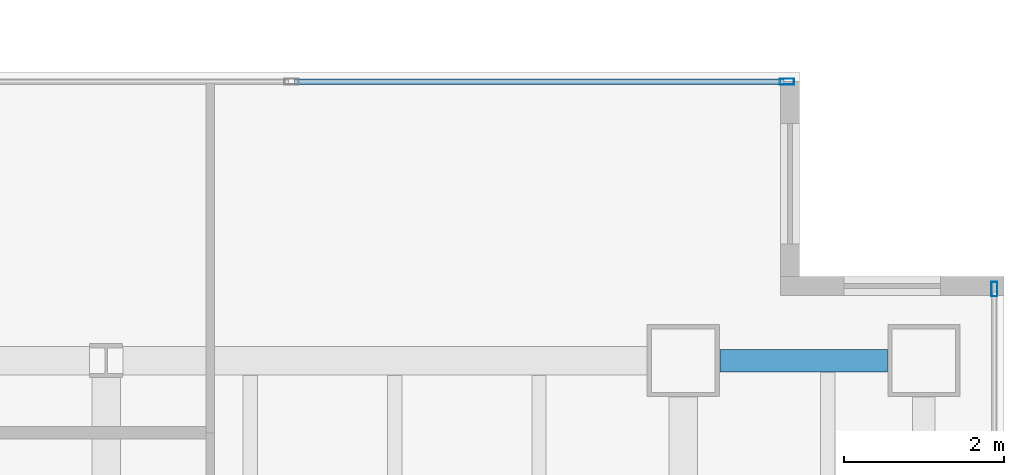
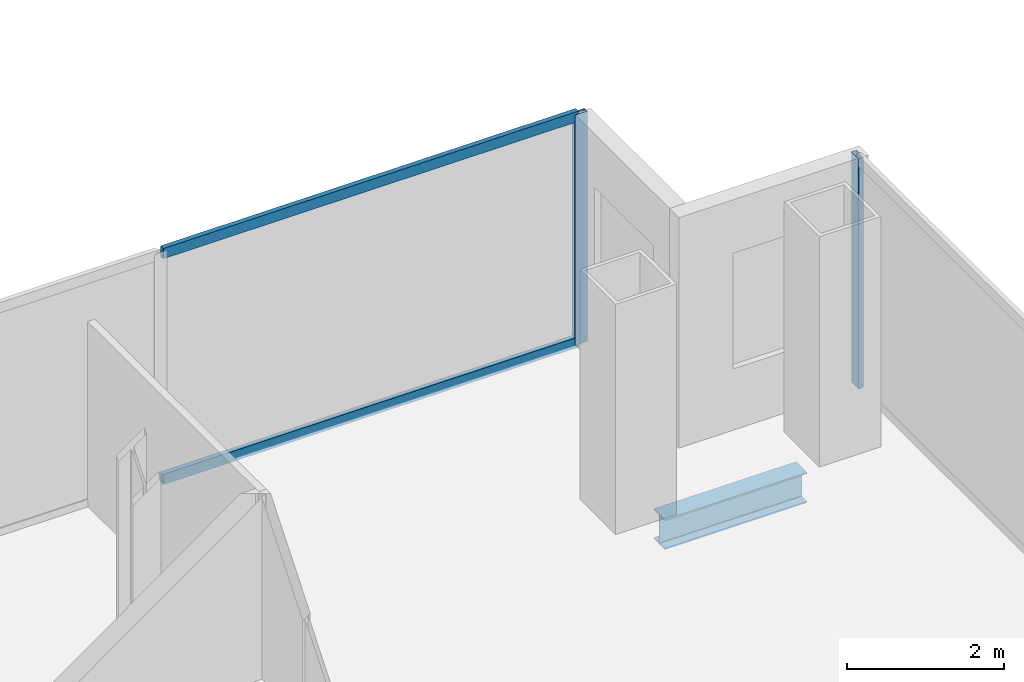
# One storey, part 15 of 24: 4 members, 1 beam, 2 elements without a shape of their own.
"""IFC4 building model written with IfcOpenShell, lengths in metres."""

from ifc_helpers import new_model, si_unit, direction, frame, origin, origin_2d, place, context, subcontext, project, spatial, hollow_rectangle, i_section, extrude, material, material_profile, profile_set, type_object, element, aggregate, save


model = new_model("IFC4")

# Units and contexts
model_context = context("Model", 3, precision=1e-05, world=origin(), true_north=direction((0.0, 1.0)))
body_context = subcontext(model_context, "Body", "Model", "MODEL_VIEW")
ifc_project = project(units=[si_unit("LENGTHUNIT", "METRE"), si_unit("AREAUNIT", "SQUARE_METRE"), si_unit("VOLUMEUNIT", "CUBIC_METRE"), si_unit("PLANEANGLEUNIT", "RADIAN"), si_unit("MASSUNIT", "GRAM", prefix="KILO")], contexts=[model_context])

# Site, building, storey
site_placement = place(None, origin())
site = spatial("IfcSite", under=ifc_project, at=site_placement, CompositionType="ELEMENT")
building_placement = place(site_placement, origin())
building = spatial("IfcBuilding", under=site, at=building_placement, Name="Cobrela Telecom Tower", CompositionType="ELEMENT")
storey_placement = place(building_placement, frame((0.0, 0.0, 136.85009765625)))
storey = spatial("IfcBuildingStorey", under=building, at=storey_placement, Name="L34", CompositionType="ELEMENT", Elevation=136.85009765625)

# Beam
ifc_material_1 = material(Name="Steel ASTM A992 Grade 50", Category="steel")
ifc_material_profile_1 = material_profile(ifc_material_1, i_section(OverallWidth=0.281982421875, OverallDepth=0.467041015625, WebThickness=0.01220703125, FlangeThickness=0.01953125, FilletRadius=0.012939453125, at=origin_2d()), Name="W18X86")
ifc_profile_set_1 = profile_set([ifc_material_profile_1], Name="Steel ASTM A992 Grade 50")
beam_type = type_object("IfcBeamType", Name="BM-SPAND-04", PredefinedType="SPANDREL", material=ifc_profile_set_1)
beam_placement = place(storey_placement, frame((43.655029296875, 21.60009765625, -0.503662109375), z_axis=(1.0, 0.0, 0.0), x_axis=(0.0, 1.0, 0.0)))
element("IfcBeam", 1, at=beam_placement, inside=storey, type_object=beam_type, Name="L34 Perimeter Spandrel X22", PredefinedType="SPANDREL", context=body_context, shape_type="SweptSolid", body=[
    extrude(i_section(OverallWidth=0.281982421875, OverallDepth=0.467041015625, WebThickness=0.01220703125, FlangeThickness=0.01953125, FilletRadius=0.012939453125, at=origin_2d()), origin(), (0.0, 0.0, 1.0), 2.090087890625),
])

# Curtain wall, member
ifc_material_2 = material(Name="Anodized Bronze Aluminium 6063-T6", Category="aluminium")
curtain_wall_type = type_object("IfcCurtainWallType", Name="CW-SYS-TEL", PredefinedType="USERDEFINED", material=ifc_material_2)
curtain_wall_1_placement = place(storey_placement, origin())
curtain_wall_1 = element("IfcCurtainWall", 2, at=curtain_wall_1_placement, inside=storey, type_object=curtain_wall_type, Name="L34 Unitised Bronze Curtain Wall 11", ObjectType="UNITISED CURTAIN WALL", PredefinedType="USERDEFINED")
ifc_material_profile_2 = material_profile(ifc_material_2, hollow_rectangle(XDim=0.074951171875, YDim=0.179931640625, WallThickness=0.00390625, at=origin_2d()), Name="ALU 75x180x4")
ifc_profile_set_2 = profile_set([ifc_material_profile_2], Name="Anodized Bronze Aluminium 6063-T6")
member_type_1 = type_object("IfcMemberType", Name="CW-SYS-TEL-MUL", PredefinedType="MULLION", material=ifc_profile_set_2)
member_1_placement = place(storey_placement, frame((44.492431640625, 25.080078125, 0.0), z_axis=(0.0, 0.0, 1.0), x_axis=(0.0, 1.0, 0.0)))
member_1 = element("IfcMember", 3, at=member_1_placement, type_object=member_type_1, Name="CW-TEL mullion 4", PredefinedType="MULLION", context=body_context, shape_type="SweptSolid", body=[
    extrude(hollow_rectangle(XDim=0.074951171875, YDim=0.179931640625, WallThickness=0.00390625, at=origin_2d()), origin(), (0.0, 0.0, 1.0), 3.579833984375),
])

curtain_wall_2_placement = place(storey_placement, origin())
curtain_wall_2 = element("IfcCurtainWall", 4, at=curtain_wall_2_placement, inside=storey, type_object=curtain_wall_type, Name="L34 Unitised Bronze Curtain Wall 14", ObjectType="UNITISED CURTAIN WALL", PredefinedType="USERDEFINED")
member_2_placement = place(storey_placement, frame((47.080078125, 22.492431640625, 0.0), z_axis=(0.0, 0.0, 1.0), x_axis=(1.0, 0.0, 0.0)))
member_2 = element("IfcMember", 5, at=member_2_placement, type_object=member_type_1, Name="CW-TEL mullion 1", PredefinedType="MULLION", context=body_context, shape_type="SweptSolid", body=[
    extrude(hollow_rectangle(XDim=0.074951171875, YDim=0.179931640625, WallThickness=0.00390625, at=origin_2d()), origin(), (0.0, 0.0, 1.0), 3.579833984375),
])
aggregate(curtain_wall_2, [member_2])

# Member
ifc_material_profile_3 = material_profile(ifc_material_2, hollow_rectangle(XDim=0.070068359375, YDim=0.159912109375, WallThickness=0.00390625, at=origin_2d()), Name="ALU 70x160x4")
ifc_profile_set_3 = profile_set([ifc_material_profile_3], Name="Anodized Bronze Aluminium 6063-T6")
member_type_2 = type_object("IfcMemberType", Name="CW-SYS-TEL-TRN", PredefinedType="USERDEFINED", material=ifc_profile_set_3)
member_3_placement = place(storey_placement, frame((38.350830078125, 25.080078125, 0.034912109375), z_axis=(1.0, 0.0, 0.0), x_axis=(0.0, 1.0, 0.0)))
member_3 = element("IfcMember", 6, at=member_3_placement, type_object=member_type_2, Name="CW-TEL transom 3.1", ObjectType="TRANSOM", PredefinedType="USERDEFINED", context=body_context, shape_type="SweptSolid", body=[
    extrude(hollow_rectangle(XDim=0.070068359375, YDim=0.159912109375, WallThickness=0.00390625, at=origin_2d()), origin(), (0.0, 0.0, 1.0), 6.104248046875),
])

member_4_placement = place(storey_placement, frame((38.350830078125, 25.080078125, 3.544921875), z_axis=(1.0, 0.0, 0.0), x_axis=(0.0, 1.0, 0.0)))
member_4 = element("IfcMember", 7, at=member_4_placement, type_object=member_type_2, Name="CW-TEL transom 3.2", ObjectType="TRANSOM", PredefinedType="USERDEFINED", context=body_context, shape_type="SweptSolid", body=[
    extrude(hollow_rectangle(XDim=0.070068359375, YDim=0.159912109375, WallThickness=0.00390625, at=origin_2d()), origin(), (0.0, 0.0, 1.0), 6.104248046875),
])

aggregate(curtain_wall_1, [member_1, member_3, member_4])

save(model, "model.ifc")
